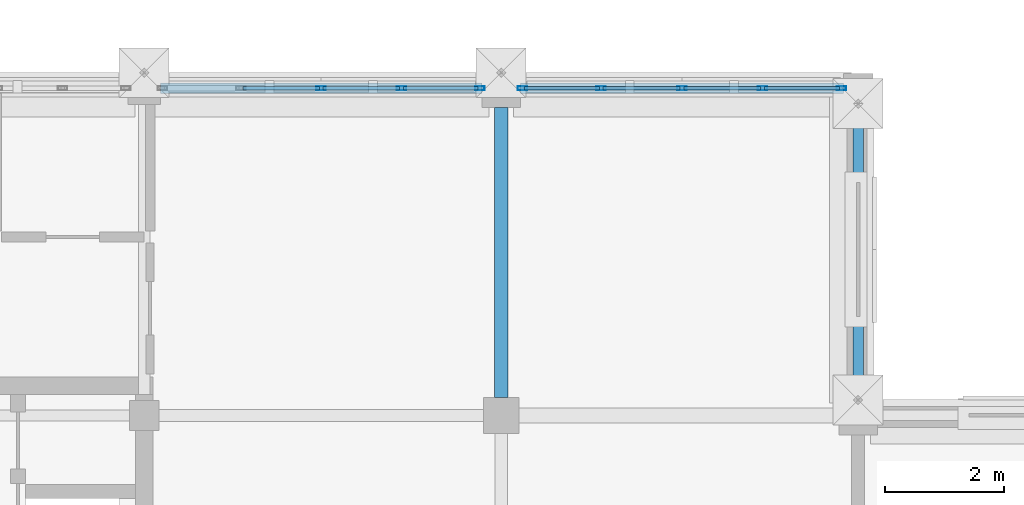
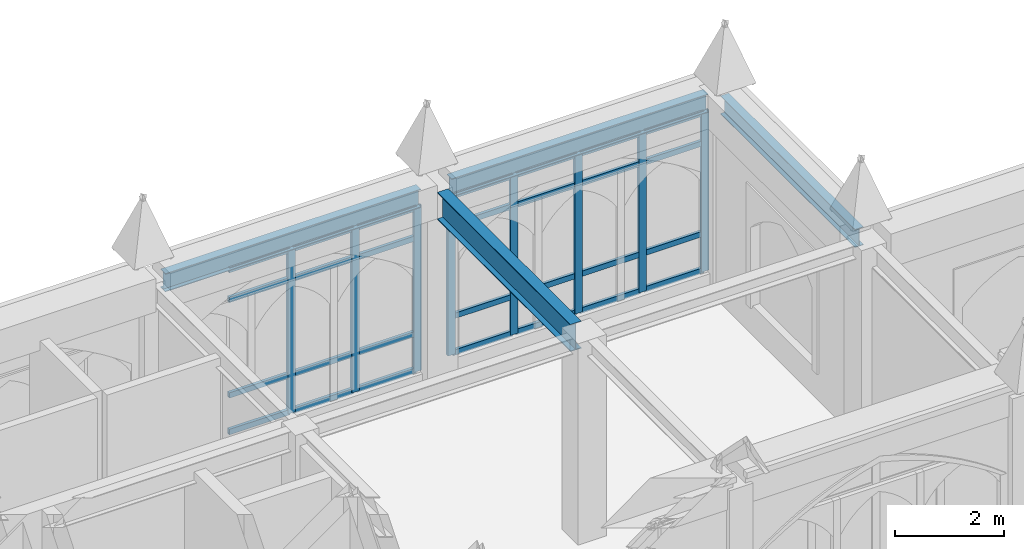
# One storey, part 11 of 143: 36 members, 4 beams, 2 elements without a shape of their own.
"""IFC4 building model written with IfcOpenShell, lengths in metres."""

from ifc_helpers import new_model, si_unit, direction, frame, origin, origin_2d, place, context, subcontext, project, spatial, hollow_rectangle, i_section, extrude, material, layer, layer_set, material_profile, profile_set, type_object, element, aggregate, save


model = new_model("IFC4")

# Units and contexts
model_context = context("Model", 3, precision=1e-05, world=origin(), true_north=direction((0.0, 1.0)))
body_context = subcontext(model_context, "Body", "Model", "MODEL_VIEW")
ifc_project = project(units=[si_unit("LENGTHUNIT", "METRE"), si_unit("AREAUNIT", "SQUARE_METRE"), si_unit("VOLUMEUNIT", "CUBIC_METRE"), si_unit("PLANEANGLEUNIT", "RADIAN"), si_unit("MASSUNIT", "GRAM", prefix="KILO")], contexts=[model_context])

# Site, building, storey
site_placement = place(None, origin())
site = spatial("IfcSite", under=ifc_project, at=site_placement, CompositionType="ELEMENT")
building_placement = place(site_placement, origin())
building = spatial("IfcBuilding", under=site, at=building_placement, Name="Cumevento Cable Car Station", CompositionType="ELEMENT")
storey_placement = place(building_placement, frame((0.0, 0.0, 9.0)))
storey = spatial("IfcBuildingStorey", under=building, at=storey_placement, Name="L03", CompositionType="ELEMENT", Elevation=9.0)

# Curtain wall, members
ifc_material_1 = material(Name="Anodised Bronze Aluminium AW-6063-T6", Category="aluminium")
ifc_layer_1 = layer(ifc_material_1, 0.18994140625)
ifc_layer_set_1 = layer_set([ifc_layer_1], Name="Anodised Bronze Aluminium AW-6063-T6")
curtain_wall_type_1 = type_object("IfcCurtainWallType", Name="Lancet Curtain Wall CW-06 1250", PredefinedType="NOTDEFINED", material=ifc_layer_set_1)
curtain_wall_1_placement = place(storey_placement, origin())
curtain_wall_1 = element("IfcCurtainWall", 1, at=curtain_wall_1_placement, inside=storey, type_object=curtain_wall_type_1, Name="Lancet Curtain Wall CW-06 L03 #69", PredefinedType="NOTDEFINED")
ifc_material_2 = material(Name="Anodised Bronze Aluminium AW-6063-T6", Category="aluminium")
ifc_material_profile_1 = material_profile(ifc_material_2, hollow_rectangle(XDim=0.06494140625, YDim=0.159912109375, WallThickness=0.00390625, at=origin_2d()), Name="ALUM65x160x4")
ifc_profile_set_1 = profile_set([ifc_material_profile_1], Name="Anodised Bronze Aluminium AW-6063-T6")
member_type_1 = type_object("IfcMemberType", Name="Curtain Mullion CWM-01 ALUM65x160x4", PredefinedType="MULLION", material=ifc_profile_set_1)
member_1_placement = place(storey_placement, frame((36.97509765625, 15.0, 0.409912109375), z_axis=(0.0, 0.0, 1.0), x_axis=(0.0, 1.0, 0.0)))
member_1 = element("IfcMember", 2, at=member_1_placement, type_object=member_type_1, Name="CW-06 mullion 3", PredefinedType="MULLION", context=body_context, shape_type="SweptSolid", body=[
    extrude(hollow_rectangle(XDim=0.06494140625, YDim=0.159912109375, WallThickness=0.00390625, at=origin_2d()), origin(), (0.0, 0.0, 1.0), 3.68310546875),
])
member_2_placement = place(storey_placement, frame((38.324951171875, 15.0, 0.409912109375), z_axis=(0.0, 0.0, 1.0), x_axis=(0.0, 1.0, 0.0)))
member_2 = element("IfcMember", 3, at=member_2_placement, type_object=member_type_1, Name="CW-06 mullion 4", PredefinedType="MULLION", context=body_context, shape_type="SweptSolid", body=[
    extrude(hollow_rectangle(XDim=0.06494140625, YDim=0.159912109375, WallThickness=0.00390625, at=origin_2d()), origin(), (0.0, 0.0, 1.0), 3.68310546875),
])
member_3_placement = place(storey_placement, frame((39.642578125, 15.0, 0.409912109375), z_axis=(0.0, 0.0, 1.0), x_axis=(0.0, 1.0, 0.0)))
member_3 = element("IfcMember", 4, at=member_3_placement, type_object=member_type_1, Name="CW-06 mullion 5", PredefinedType="MULLION", context=body_context, shape_type="SweptSolid", body=[
    extrude(hollow_rectangle(XDim=0.06494140625, YDim=0.159912109375, WallThickness=0.00390625, at=origin_2d()), origin(), (0.0, 0.0, 1.0), 3.68310546875),
])

ifc_material_3 = material(Name="Anodised Bronze Aluminium AW-6063-T6", Category="aluminium")
ifc_layer_2 = layer(ifc_material_3, 0.201904296875)
ifc_layer_set_2 = layer_set([ifc_layer_2], Name="Anodised Bronze Aluminium AW-6063-T6")
curtain_wall_type_2 = type_object("IfcCurtainWallType", Name="Lancet Curtain Wall CW-08 1330", PredefinedType="NOTDEFINED", material=ifc_layer_set_2)
curtain_wall_2_placement = place(storey_placement, origin())
curtain_wall_2 = element("IfcCurtainWall", 5, at=curtain_wall_2_placement, inside=storey, type_object=curtain_wall_type_2, Name="Lancet Curtain Wall CW-08 L03 #71", PredefinedType="NOTDEFINED")
member_4_placement = place(storey_placement, frame((40.357421875, 15.0, 0.52001953125), z_axis=(0.0, 0.0, 1.0), x_axis=(0.0, 1.0, 0.0)))
member_4 = element("IfcMember", 6, at=member_4_placement, type_object=member_type_1, Name="CW-08 mullion 1", PredefinedType="MULLION", context=body_context, shape_type="SweptSolid", body=[
    extrude(hollow_rectangle(XDim=0.06494140625, YDim=0.159912109375, WallThickness=0.00390625, at=origin_2d()), origin(), (0.0, 0.0, 1.0), 3.572998046875),
])
member_5_placement = place(storey_placement, frame((41.68115234375, 15.0, 0.52001953125), z_axis=(0.0, 0.0, 1.0), x_axis=(0.0, 1.0, 0.0)))
member_5 = element("IfcMember", 7, at=member_5_placement, type_object=member_type_1, Name="CW-08 mullion 2", PredefinedType="MULLION", context=body_context, shape_type="SweptSolid", body=[
    extrude(hollow_rectangle(XDim=0.06494140625, YDim=0.159912109375, WallThickness=0.00390625, at=origin_2d()), origin(), (0.0, 0.0, 1.0), 3.572998046875),
])
member_6_placement = place(storey_placement, frame((43.03759765625, 15.0, 0.52001953125), z_axis=(0.0, 0.0, 1.0), x_axis=(0.0, 1.0, 0.0)))
member_6 = element("IfcMember", 8, at=member_6_placement, type_object=member_type_1, Name="CW-08 mullion 3", PredefinedType="MULLION", context=body_context, shape_type="SweptSolid", body=[
    extrude(hollow_rectangle(XDim=0.06494140625, YDim=0.159912109375, WallThickness=0.00390625, at=origin_2d()), origin(), (0.0, 0.0, 1.0), 3.572998046875),
])
member_7_placement = place(storey_placement, frame((44.393798828125, 15.0, 0.52001953125), z_axis=(0.0, 0.0, 1.0), x_axis=(0.0, 1.0, 0.0)))
member_7 = element("IfcMember", 9, at=member_7_placement, type_object=member_type_1, Name="CW-08 mullion 4", PredefinedType="MULLION", context=body_context, shape_type="SweptSolid", body=[
    extrude(hollow_rectangle(XDim=0.06494140625, YDim=0.159912109375, WallThickness=0.00390625, at=origin_2d()), origin(), (0.0, 0.0, 1.0), 3.572998046875),
])
member_8_placement = place(storey_placement, frame((45.717529296875, 15.0, 0.52001953125), z_axis=(0.0, 0.0, 1.0), x_axis=(0.0, 1.0, 0.0)))
member_8 = element("IfcMember", 10, at=member_8_placement, type_object=member_type_1, Name="CW-08 mullion 5", PredefinedType="MULLION", context=body_context, shape_type="SweptSolid", body=[
    extrude(hollow_rectangle(XDim=0.06494140625, YDim=0.159912109375, WallThickness=0.00390625, at=origin_2d()), origin(), (0.0, 0.0, 1.0), 3.572998046875),
])

# Member
ifc_material_4 = material(Name="Anodised Bronze Aluminium AW-6063-T6", Category="aluminium")
ifc_material_profile_2 = material_profile(ifc_material_4, hollow_rectangle(XDim=0.06494140625, YDim=0.1201171875, WallThickness=0.00390625, at=origin_2d()), Name="ALUT65x120x4")
ifc_profile_set_2 = profile_set([ifc_material_profile_2], Name="Anodised Bronze Aluminium AW-6063-T6")
member_type_2 = type_object("IfcMemberType", Name="Curtain Transom CWT-01 ALUT65x120x4", PredefinedType="USERDEFINED", material=ifc_profile_set_2)
member_9_placement = place(storey_placement, frame((35.657470703125, 15.0, 0.4423828125), z_axis=(1.0, 0.0, 0.0), x_axis=(0.0, 1.0, 0.0)))
member_9 = element("IfcMember", 11, at=member_9_placement, type_object=member_type_2, Name="CW-06 transom 2.1", ObjectType="TRANSOM", PredefinedType="USERDEFINED", context=body_context, shape_type="SweptSolid", body=[
    extrude(hollow_rectangle(XDim=0.06494140625, YDim=0.1201171875, WallThickness=0.00390625, at=origin_2d()), origin(), (0.0, 0.0, 1.0), 1.284912109375),
])

member_10_placement = place(storey_placement, frame((35.657470703125, 15.0, 1.260009765625), z_axis=(1.0, 0.0, 0.0), x_axis=(0.0, 1.0, 0.0)))
member_10 = element("IfcMember", 12, at=member_10_placement, type_object=member_type_2, Name="CW-06 transom 2.2", ObjectType="TRANSOM", PredefinedType="USERDEFINED", context=body_context, shape_type="SweptSolid", body=[
    extrude(hollow_rectangle(XDim=0.06494140625, YDim=0.1201171875, WallThickness=0.00390625, at=origin_2d()), origin(), (0.0, 0.0, 1.0), 1.284912109375),
])

member_11_placement = place(storey_placement, frame((35.657470703125, 15.0, 3.39306640625), z_axis=(1.0, 0.0, 0.0), x_axis=(0.0, 1.0, 0.0)))
member_11 = element("IfcMember", 13, at=member_11_placement, type_object=member_type_2, Name="CW-06 transom 2.3", ObjectType="TRANSOM", PredefinedType="USERDEFINED", context=body_context, shape_type="SweptSolid", body=[
    extrude(hollow_rectangle(XDim=0.06494140625, YDim=0.1201171875, WallThickness=0.00390625, at=origin_2d()), origin(), (0.0, 0.0, 1.0), 1.284912109375),
])

member_12_placement = place(storey_placement, frame((35.657470703125, 15.0, 4.060546875), z_axis=(1.0, 0.0, 0.0), x_axis=(0.0, 1.0, 0.0)))
member_12 = element("IfcMember", 14, at=member_12_placement, type_object=member_type_2, Name="CW-06 transom 2.4", ObjectType="TRANSOM", PredefinedType="USERDEFINED", context=body_context, shape_type="SweptSolid", body=[
    extrude(hollow_rectangle(XDim=0.06494140625, YDim=0.1201171875, WallThickness=0.00390625, at=origin_2d()), origin(), (0.0, 0.0, 1.0), 1.284912109375),
])

member_13_placement = place(storey_placement, frame((37.007568359375, 15.0, 0.4423828125), z_axis=(1.0, 0.0, 0.0), x_axis=(0.0, 1.0, 0.0)))
member_13 = element("IfcMember", 15, at=member_13_placement, type_object=member_type_2, Name="CW-06 transom 3.1", ObjectType="TRANSOM", PredefinedType="USERDEFINED", context=body_context, shape_type="SweptSolid", body=[
    extrude(hollow_rectangle(XDim=0.06494140625, YDim=0.1201171875, WallThickness=0.00390625, at=origin_2d()), origin(), (0.0, 0.0, 1.0), 1.284912109375),
])

member_14_placement = place(storey_placement, frame((37.007568359375, 15.0, 1.260009765625), z_axis=(1.0, 0.0, 0.0), x_axis=(0.0, 1.0, 0.0)))
member_14 = element("IfcMember", 16, at=member_14_placement, type_object=member_type_2, Name="CW-06 transom 3.2", ObjectType="TRANSOM", PredefinedType="USERDEFINED", context=body_context, shape_type="SweptSolid", body=[
    extrude(hollow_rectangle(XDim=0.06494140625, YDim=0.1201171875, WallThickness=0.00390625, at=origin_2d()), origin(), (0.0, 0.0, 1.0), 1.284912109375),
])

member_15_placement = place(storey_placement, frame((37.007568359375, 15.0, 3.39306640625), z_axis=(1.0, 0.0, 0.0), x_axis=(0.0, 1.0, 0.0)))
member_15 = element("IfcMember", 17, at=member_15_placement, type_object=member_type_2, Name="CW-06 transom 3.3", ObjectType="TRANSOM", PredefinedType="USERDEFINED", context=body_context, shape_type="SweptSolid", body=[
    extrude(hollow_rectangle(XDim=0.06494140625, YDim=0.1201171875, WallThickness=0.00390625, at=origin_2d()), origin(), (0.0, 0.0, 1.0), 1.284912109375),
])

member_16_placement = place(storey_placement, frame((37.007568359375, 15.0, 4.060546875), z_axis=(1.0, 0.0, 0.0), x_axis=(0.0, 1.0, 0.0)))
member_16 = element("IfcMember", 18, at=member_16_placement, type_object=member_type_2, Name="CW-06 transom 3.4", ObjectType="TRANSOM", PredefinedType="USERDEFINED", context=body_context, shape_type="SweptSolid", body=[
    extrude(hollow_rectangle(XDim=0.06494140625, YDim=0.1201171875, WallThickness=0.00390625, at=origin_2d()), origin(), (0.0, 0.0, 1.0), 1.284912109375),
])

member_17_placement = place(storey_placement, frame((38.357421875, 15.0, 0.4423828125), z_axis=(1.0, 0.0, 0.0), x_axis=(0.0, 1.0, 0.0)))
member_17 = element("IfcMember", 19, at=member_17_placement, type_object=member_type_2, Name="CW-06 transom 4.1", ObjectType="TRANSOM", PredefinedType="USERDEFINED", context=body_context, shape_type="SweptSolid", body=[
    extrude(hollow_rectangle(XDim=0.06494140625, YDim=0.1201171875, WallThickness=0.00390625, at=origin_2d()), origin(), (0.0, 0.0, 1.0), 1.252685546875),
])

member_18_placement = place(storey_placement, frame((38.357421875, 15.0, 1.260009765625), z_axis=(1.0, 0.0, 0.0), x_axis=(0.0, 1.0, 0.0)))
member_18 = element("IfcMember", 20, at=member_18_placement, type_object=member_type_2, Name="CW-06 transom 4.2", ObjectType="TRANSOM", PredefinedType="USERDEFINED", context=body_context, shape_type="SweptSolid", body=[
    extrude(hollow_rectangle(XDim=0.06494140625, YDim=0.1201171875, WallThickness=0.00390625, at=origin_2d()), origin(), (0.0, 0.0, 1.0), 1.252685546875),
])

member_19_placement = place(storey_placement, frame((38.357421875, 15.0, 3.39306640625), z_axis=(1.0, 0.0, 0.0), x_axis=(0.0, 1.0, 0.0)))
member_19 = element("IfcMember", 21, at=member_19_placement, type_object=member_type_2, Name="CW-06 transom 4.3", ObjectType="TRANSOM", PredefinedType="USERDEFINED", context=body_context, shape_type="SweptSolid", body=[
    extrude(hollow_rectangle(XDim=0.06494140625, YDim=0.1201171875, WallThickness=0.00390625, at=origin_2d()), origin(), (0.0, 0.0, 1.0), 1.252685546875),
])

member_20_placement = place(storey_placement, frame((38.357421875, 15.0, 4.060546875), z_axis=(1.0, 0.0, 0.0), x_axis=(0.0, 1.0, 0.0)))
member_20 = element("IfcMember", 22, at=member_20_placement, type_object=member_type_2, Name="CW-06 transom 4.4", ObjectType="TRANSOM", PredefinedType="USERDEFINED", context=body_context, shape_type="SweptSolid", body=[
    extrude(hollow_rectangle(XDim=0.06494140625, YDim=0.1201171875, WallThickness=0.00390625, at=origin_2d()), origin(), (0.0, 0.0, 1.0), 1.252685546875),
])

aggregate(curtain_wall_1, [member_1, member_2, member_3, member_9, member_10, member_11, member_12, member_13, member_14, member_15, member_16, member_17, member_18, member_19, member_20])

member_21_placement = place(storey_placement, frame((40.389892578125, 15.0, 0.552490234375), z_axis=(1.0, 0.0, 0.0), x_axis=(0.0, 1.0, 0.0)))
member_21 = element("IfcMember", 23, at=member_21_placement, type_object=member_type_2, Name="CW-08 transom 1.1", ObjectType="TRANSOM", PredefinedType="USERDEFINED", context=body_context, shape_type="SweptSolid", body=[
    extrude(hollow_rectangle(XDim=0.06494140625, YDim=0.1201171875, WallThickness=0.00390625, at=origin_2d()), origin(), (0.0, 0.0, 1.0), 1.2587890625),
])

member_22_placement = place(storey_placement, frame((40.389892578125, 15.0, 1.3701171875), z_axis=(1.0, 0.0, 0.0), x_axis=(0.0, 1.0, 0.0)))
member_22 = element("IfcMember", 24, at=member_22_placement, type_object=member_type_2, Name="CW-08 transom 1.2", ObjectType="TRANSOM", PredefinedType="USERDEFINED", context=body_context, shape_type="SweptSolid", body=[
    extrude(hollow_rectangle(XDim=0.06494140625, YDim=0.1201171875, WallThickness=0.00390625, at=origin_2d()), origin(), (0.0, 0.0, 1.0), 1.2587890625),
])

member_23_placement = place(storey_placement, frame((40.389892578125, 15.0, 3.39306640625), z_axis=(1.0, 0.0, 0.0), x_axis=(0.0, 1.0, 0.0)))
member_23 = element("IfcMember", 25, at=member_23_placement, type_object=member_type_2, Name="CW-08 transom 1.3", ObjectType="TRANSOM", PredefinedType="USERDEFINED", context=body_context, shape_type="SweptSolid", body=[
    extrude(hollow_rectangle(XDim=0.06494140625, YDim=0.1201171875, WallThickness=0.00390625, at=origin_2d()), origin(), (0.0, 0.0, 1.0), 1.2587890625),
])

member_24_placement = place(storey_placement, frame((40.389892578125, 15.0, 4.060546875), z_axis=(1.0, 0.0, 0.0), x_axis=(0.0, 1.0, 0.0)))
member_24 = element("IfcMember", 26, at=member_24_placement, type_object=member_type_2, Name="CW-08 transom 1.4", ObjectType="TRANSOM", PredefinedType="USERDEFINED", context=body_context, shape_type="SweptSolid", body=[
    extrude(hollow_rectangle(XDim=0.06494140625, YDim=0.1201171875, WallThickness=0.00390625, at=origin_2d()), origin(), (0.0, 0.0, 1.0), 1.2587890625),
])

member_25_placement = place(storey_placement, frame((41.7138671875, 15.0, 0.552490234375), z_axis=(1.0, 0.0, 0.0), x_axis=(0.0, 1.0, 0.0)))
member_25 = element("IfcMember", 27, at=member_25_placement, type_object=member_type_2, Name="CW-08 transom 2.1", ObjectType="TRANSOM", PredefinedType="USERDEFINED", context=body_context, shape_type="SweptSolid", body=[
    extrude(hollow_rectangle(XDim=0.06494140625, YDim=0.1201171875, WallThickness=0.00390625, at=origin_2d()), origin(), (0.0, 0.0, 1.0), 1.291015625),
])

member_26_placement = place(storey_placement, frame((41.7138671875, 15.0, 1.3701171875), z_axis=(1.0, 0.0, 0.0), x_axis=(0.0, 1.0, 0.0)))
member_26 = element("IfcMember", 28, at=member_26_placement, type_object=member_type_2, Name="CW-08 transom 2.2", ObjectType="TRANSOM", PredefinedType="USERDEFINED", context=body_context, shape_type="SweptSolid", body=[
    extrude(hollow_rectangle(XDim=0.06494140625, YDim=0.1201171875, WallThickness=0.00390625, at=origin_2d()), origin(), (0.0, 0.0, 1.0), 1.291015625),
])

member_27_placement = place(storey_placement, frame((41.7138671875, 15.0, 3.39306640625), z_axis=(1.0, 0.0, 0.0), x_axis=(0.0, 1.0, 0.0)))
member_27 = element("IfcMember", 29, at=member_27_placement, type_object=member_type_2, Name="CW-08 transom 2.3", ObjectType="TRANSOM", PredefinedType="USERDEFINED", context=body_context, shape_type="SweptSolid", body=[
    extrude(hollow_rectangle(XDim=0.06494140625, YDim=0.1201171875, WallThickness=0.00390625, at=origin_2d()), origin(), (0.0, 0.0, 1.0), 1.291015625),
])

member_28_placement = place(storey_placement, frame((41.7138671875, 15.0, 4.060546875), z_axis=(1.0, 0.0, 0.0), x_axis=(0.0, 1.0, 0.0)))
member_28 = element("IfcMember", 30, at=member_28_placement, type_object=member_type_2, Name="CW-08 transom 2.4", ObjectType="TRANSOM", PredefinedType="USERDEFINED", context=body_context, shape_type="SweptSolid", body=[
    extrude(hollow_rectangle(XDim=0.06494140625, YDim=0.1201171875, WallThickness=0.00390625, at=origin_2d()), origin(), (0.0, 0.0, 1.0), 1.291015625),
])

member_29_placement = place(storey_placement, frame((43.070068359375, 15.0, 0.552490234375), z_axis=(1.0, 0.0, 0.0), x_axis=(0.0, 1.0, 0.0)))
member_29 = element("IfcMember", 31, at=member_29_placement, type_object=member_type_2, Name="CW-08 transom 3.1", ObjectType="TRANSOM", PredefinedType="USERDEFINED", context=body_context, shape_type="SweptSolid", body=[
    extrude(hollow_rectangle(XDim=0.06494140625, YDim=0.1201171875, WallThickness=0.00390625, at=origin_2d()), origin(), (0.0, 0.0, 1.0), 1.291259765625),
])

member_30_placement = place(storey_placement, frame((43.070068359375, 15.0, 1.3701171875), z_axis=(1.0, 0.0, 0.0), x_axis=(0.0, 1.0, 0.0)))
member_30 = element("IfcMember", 32, at=member_30_placement, type_object=member_type_2, Name="CW-08 transom 3.2", ObjectType="TRANSOM", PredefinedType="USERDEFINED", context=body_context, shape_type="SweptSolid", body=[
    extrude(hollow_rectangle(XDim=0.06494140625, YDim=0.1201171875, WallThickness=0.00390625, at=origin_2d()), origin(), (0.0, 0.0, 1.0), 1.291259765625),
])

member_31_placement = place(storey_placement, frame((43.070068359375, 15.0, 3.39306640625), z_axis=(1.0, 0.0, 0.0), x_axis=(0.0, 1.0, 0.0)))
member_31 = element("IfcMember", 33, at=member_31_placement, type_object=member_type_2, Name="CW-08 transom 3.3", ObjectType="TRANSOM", PredefinedType="USERDEFINED", context=body_context, shape_type="SweptSolid", body=[
    extrude(hollow_rectangle(XDim=0.06494140625, YDim=0.1201171875, WallThickness=0.00390625, at=origin_2d()), origin(), (0.0, 0.0, 1.0), 1.291259765625),
])

member_32_placement = place(storey_placement, frame((43.070068359375, 15.0, 4.060546875), z_axis=(1.0, 0.0, 0.0), x_axis=(0.0, 1.0, 0.0)))
member_32 = element("IfcMember", 34, at=member_32_placement, type_object=member_type_2, Name="CW-08 transom 3.4", ObjectType="TRANSOM", PredefinedType="USERDEFINED", context=body_context, shape_type="SweptSolid", body=[
    extrude(hollow_rectangle(XDim=0.06494140625, YDim=0.1201171875, WallThickness=0.00390625, at=origin_2d()), origin(), (0.0, 0.0, 1.0), 1.291259765625),
])

member_33_placement = place(storey_placement, frame((44.42626953125, 15.0, 0.552490234375), z_axis=(1.0, 0.0, 0.0), x_axis=(0.0, 1.0, 0.0)))
member_33 = element("IfcMember", 35, at=member_33_placement, type_object=member_type_2, Name="CW-08 transom 4.1", ObjectType="TRANSOM", PredefinedType="USERDEFINED", context=body_context, shape_type="SweptSolid", body=[
    extrude(hollow_rectangle(XDim=0.06494140625, YDim=0.1201171875, WallThickness=0.00390625, at=origin_2d()), origin(), (0.0, 0.0, 1.0), 1.2587890625),
])

member_34_placement = place(storey_placement, frame((44.42626953125, 15.0, 1.3701171875), z_axis=(1.0, 0.0, 0.0), x_axis=(0.0, 1.0, 0.0)))
member_34 = element("IfcMember", 36, at=member_34_placement, type_object=member_type_2, Name="CW-08 transom 4.2", ObjectType="TRANSOM", PredefinedType="USERDEFINED", context=body_context, shape_type="SweptSolid", body=[
    extrude(hollow_rectangle(XDim=0.06494140625, YDim=0.1201171875, WallThickness=0.00390625, at=origin_2d()), origin(), (0.0, 0.0, 1.0), 1.2587890625),
])

member_35_placement = place(storey_placement, frame((44.42626953125, 15.0, 3.39306640625), z_axis=(1.0, 0.0, 0.0), x_axis=(0.0, 1.0, 0.0)))
member_35 = element("IfcMember", 37, at=member_35_placement, type_object=member_type_2, Name="CW-08 transom 4.3", ObjectType="TRANSOM", PredefinedType="USERDEFINED", context=body_context, shape_type="SweptSolid", body=[
    extrude(hollow_rectangle(XDim=0.06494140625, YDim=0.1201171875, WallThickness=0.00390625, at=origin_2d()), origin(), (0.0, 0.0, 1.0), 1.2587890625),
])

member_36_placement = place(storey_placement, frame((44.42626953125, 15.0, 4.060546875), z_axis=(1.0, 0.0, 0.0), x_axis=(0.0, 1.0, 0.0)))
member_36 = element("IfcMember", 38, at=member_36_placement, type_object=member_type_2, Name="CW-08 transom 4.4", ObjectType="TRANSOM", PredefinedType="USERDEFINED", context=body_context, shape_type="SweptSolid", body=[
    extrude(hollow_rectangle(XDim=0.06494140625, YDim=0.1201171875, WallThickness=0.00390625, at=origin_2d()), origin(), (0.0, 0.0, 1.0), 1.2587890625),
])

aggregate(curtain_wall_2, [member_4, member_5, member_6, member_7, member_8, member_21, member_22, member_23, member_24, member_25, member_26, member_27, member_28, member_29, member_30, member_31, member_32, member_33, member_34, member_35, member_36])

# Beams
ifc_material_5 = material(Name="Steel ASTM A572 Grade 50", Category="steel")
ifc_material_profile_3 = material_profile(ifc_material_5, i_section(OverallWidth=0.22802734375, OverallDepth=0.60791015625, WebThickness=0.01123046875, FlangeThickness=0.017333984375, at=origin_2d()), Name="W610x113.0")
ifc_profile_set_3 = profile_set([ifc_material_profile_3], Name="Steel ASTM A572 Grade 50")
beam_type_1 = type_object("IfcBeamType", Name="Structural Beam BM-02 W610x113.0", PredefinedType="BEAM", material=ifc_profile_set_3)
beam_1_placement = place(storey_placement, frame((40.0, 9.800048828125, 4.196044921875), z_axis=(0.0, 1.0, 0.0), x_axis=(-1.0, 0.0, 0.0)))
element("IfcBeam", 39, at=beam_1_placement, inside=storey, type_object=beam_type_1, Name="Beam BM-02 L03 #943", PredefinedType="BEAM", context=body_context, shape_type="SweptSolid", body=[
    extrude(i_section(OverallWidth=0.22802734375, OverallDepth=0.60791015625, WebThickness=0.01123046875, FlangeThickness=0.017333984375, at=origin_2d()), origin(), (0.0, 0.0, 1.0), 4.875),
])
ifc_material_6 = material(Name="Steel ASTM A572 Grade 50", Category="steel")
ifc_material_profile_4 = material_profile(ifc_material_6, i_section(OverallWidth=0.177978515625, OverallDepth=0.406982421875, WebThickness=0.0078125, FlangeThickness=0.0126953125, at=origin_2d()), Name="W410x60.0")
ifc_profile_set_4 = profile_set([ifc_material_profile_4], Name="Steel ASTM A572 Grade 50")
beam_type_2 = type_object("IfcBeamType", Name="Structural Spandrel SP-01 W410x60.0", PredefinedType="SPANDREL", material=ifc_profile_set_4)
beam_2_placement = place(storey_placement, frame((34.27490234375, 15.0, 4.29638671875), z_axis=(1.0, 0.0, 0.0), x_axis=(0.0, 1.0, 0.0)))
element("IfcBeam", 40, at=beam_2_placement, inside=storey, type_object=beam_type_2, Name="Beam SP-01 L03 #934", PredefinedType="SPANDREL", context=body_context, shape_type="SweptSolid", body=[
    extrude(i_section(OverallWidth=0.177978515625, OverallDepth=0.406982421875, WebThickness=0.0078125, FlangeThickness=0.0126953125, at=origin_2d()), origin(), (0.0, 0.0, 1.0), 5.400146484375),
])
beam_3_placement = place(storey_placement, frame((40.324951171875, 15.0, 4.29638671875), z_axis=(1.0, 0.0, 0.0), x_axis=(0.0, 1.0, 0.0)))
element("IfcBeam", 41, at=beam_3_placement, inside=storey, type_object=beam_type_2, Name="Beam SP-01 L03 #935", PredefinedType="SPANDREL", context=body_context, shape_type="SweptSolid", body=[
    extrude(i_section(OverallWidth=0.177978515625, OverallDepth=0.406982421875, WebThickness=0.0078125, FlangeThickness=0.0126953125, at=origin_2d()), origin(), (0.0, 0.0, 1.0), 5.425048828125),
])
beam_4_placement = place(storey_placement, frame((46.0, 9.824951171875, 4.29638671875), z_axis=(0.0, 1.0, 0.0), x_axis=(-1.0, 0.0, 0.0)))
element("IfcBeam", 42, at=beam_4_placement, inside=storey, type_object=beam_type_2, Name="Beam SP-01 L03 #945", PredefinedType="SPANDREL", context=body_context, shape_type="SweptSolid", body=[
    extrude(i_section(OverallWidth=0.177978515625, OverallDepth=0.406982421875, WebThickness=0.0078125, FlangeThickness=0.0126953125, at=origin_2d()), origin(), (0.0, 0.0, 1.0), 4.925048828125),
])

save(model, "model.ifc")
